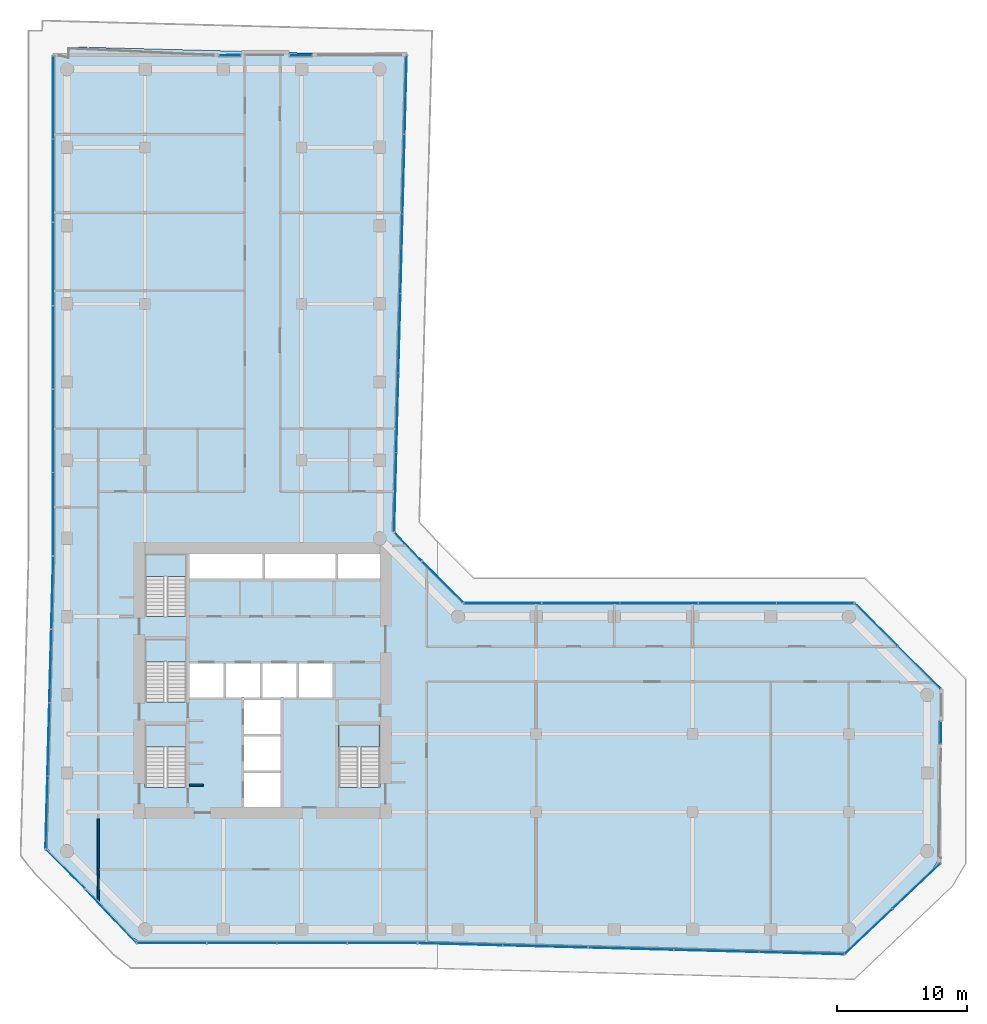
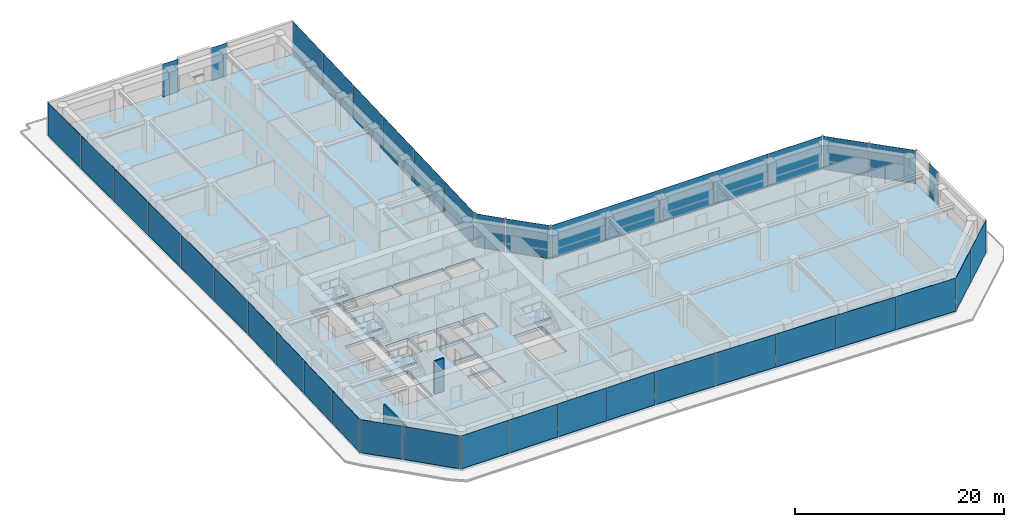
# One storey, part 22 of 28: 41 plates, 5 slabs, 3 walls, 19 elements without a shape of their own.
"""IFC4 building model written with IfcOpenShell, lengths in metres."""

from ifc_helpers import new_model, si_unit, direction, frame, frame_2d, origin, origin_2d, place, context, subcontext, project, spatial, polyline, rectangle, outline, extrude, material, layer, layer_set, type_object, element, aggregate, save


model = new_model("IFC4")

# Units and contexts
model_context = context("Model", 3, precision=1e-05, world=origin(), true_north=direction((0.0, 1.0)))
body_context = subcontext(model_context, "Body", "Model", "MODEL_VIEW")
ifc_project = project(units=[si_unit("LENGTHUNIT", "METRE"), si_unit("AREAUNIT", "SQUARE_METRE"), si_unit("VOLUMEUNIT", "CUBIC_METRE"), si_unit("PLANEANGLEUNIT", "RADIAN"), si_unit("MASSUNIT", "GRAM", prefix="KILO")], contexts=[model_context])

# Site, building, storey
site_placement = place(None, origin())
site = spatial("IfcSite", under=ifc_project, at=site_placement, CompositionType="ELEMENT")
building_placement = place(site_placement, origin())
building = spatial("IfcBuilding", under=site, at=building_placement, Name="Welwitschia Terrace Campus", CompositionType="ELEMENT")
storey_placement = place(building_placement, frame((0.0, 0.0, 45.800048828125)))
storey = spatial("IfcBuildingStorey", under=building, at=storey_placement, Name="L10", CompositionType="ELEMENT", Elevation=45.800048828125)

# Curtain wall, plate
ifc_material_1 = material(Name="Bronze anodised aluminium", Category="aluminium")
ifc_layer_1 = layer(ifc_material_1, 0.1201171875)
ifc_layer_set_1 = layer_set([ifc_layer_1], Name="Bronze anodised aluminium")
curtain_wall_type = type_object("IfcCurtainWallType", Name="Curtain wall CW2 tower 6000", PredefinedType="NOTDEFINED", material=ifc_layer_set_1)
curtain_wall_1_placement = place(storey_placement, origin())
curtain_wall_1 = element("IfcCurtainWall", 1, at=curtain_wall_1_placement, inside=storey, type_object=curtain_wall_type, Name="CW L10.0.0", PredefinedType="NOTDEFINED")
ifc_material_2 = material(Name="Tinted bronze-grey glass", Category="glass")
ifc_layer_2 = layer(ifc_material_2, 0.028076171875)
ifc_layer_set_2 = layer_set([ifc_layer_2], Name="Tinted bronze-grey glass")
plate_type = type_object("IfcPlateType", Name="Glass panel 28 tinted", PredefinedType="CURTAIN_PANEL", material=ifc_layer_set_2)
plate_1_placement = place(storey_placement, frame((3.379638671875, -2.98193359375, 0.0), z_axis=(0.0, 0.0, 1.0), x_axis=(0.688354575694, -0.725374371012, 0.0)))
plate_1 = element("IfcPlate", 2, at=plate_1_placement, type_object=plate_type, Name="Panel L10.0.0.0", PredefinedType="CURTAIN_PANEL", context=body_context, shape_type="SweptSolid", body=[
    extrude(rectangle(XDim=5.6044921875, YDim=0.028076171875, at=origin_2d()), origin(), (0.0, 0.0, 1.0), 3.85009765625),
])
aggregate(curtain_wall_1, [plate_1])

# Curtain wall, plates
curtain_wall_2_placement = place(storey_placement, origin())
curtain_wall_2 = element("IfcCurtainWall", 3, at=curtain_wall_2_placement, inside=storey, type_object=curtain_wall_type, Name="CW L10.1.0", PredefinedType="NOTDEFINED")
plate_2_placement = place(storey_placement, frame((8.056640625, -5.05810546875, 0.0), z_axis=(0.0, 0.0, 1.0), x_axis=(1.0, 0.0, 0.0)))
plate_2 = element("IfcPlate", 4, at=plate_2_placement, type_object=plate_type, Name="Panel L10.1.0.0", PredefinedType="CURTAIN_PANEL", context=body_context, shape_type="SweptSolid", body=[
    extrude(rectangle(XDim=5.293701171875, YDim=0.028076171875, at=origin_2d()), origin(), (0.0, 0.0, 1.0), 3.85009765625),
])
plate_3_placement = place(storey_placement, frame((13.42529296875, -5.05810546875, 0.0), z_axis=(0.0, 0.0, 1.0), x_axis=(1.0, 0.0, 0.0)))
plate_3 = element("IfcPlate", 5, at=plate_3_placement, type_object=plate_type, Name="Panel L10.1.0.1", PredefinedType="CURTAIN_PANEL", context=body_context, shape_type="SweptSolid", body=[
    extrude(rectangle(XDim=5.32373046875, YDim=0.028076171875, at=origin_2d()), origin(), (0.0, 0.0, 1.0), 3.85009765625),
])
plate_4_placement = place(storey_placement, frame((18.808837890625, -5.05810546875, 0.0), z_axis=(0.0, 0.0, 1.0), x_axis=(1.0, 0.0, 0.0)))
plate_4 = element("IfcPlate", 6, at=plate_4_placement, type_object=plate_type, Name="Panel L10.1.0.2", PredefinedType="CURTAIN_PANEL", context=body_context, shape_type="SweptSolid", body=[
    extrude(rectangle(XDim=5.32373046875, YDim=0.028076171875, at=origin_2d()), origin(), (0.0, 0.0, 1.0), 3.85009765625),
])
plate_5_placement = place(storey_placement, frame((24.177490234375, -5.05810546875, 0.0), z_axis=(0.0, 0.0, 1.0), x_axis=(1.0, 0.0, 0.0)))
plate_5 = element("IfcPlate", 7, at=plate_5_placement, type_object=plate_type, Name="Panel L10.1.0.3", PredefinedType="CURTAIN_PANEL", context=body_context, shape_type="SweptSolid", body=[
    extrude(rectangle(XDim=5.293701171875, YDim=0.028076171875, at=origin_2d()), origin(), (0.0, 0.0, 1.0), 3.85009765625),
])
aggregate(curtain_wall_2, [plate_2, plate_3, plate_4, plate_5])

curtain_wall_3_placement = place(storey_placement, origin())
curtain_wall_3 = element("IfcCurtainWall", 8, at=curtain_wall_3_placement, inside=storey, type_object=curtain_wall_type, Name="CW L10.2.0", PredefinedType="NOTDEFINED")
plate_6_placement = place(storey_placement, frame((30.1767578125, -5.144287109375, 0.0), z_axis=(0.0, 0.0, 1.0), x_axis=(0.999657324976, -0.026176948308, 0.0)))
plate_6 = element("IfcPlate", 9, at=plate_6_placement, type_object=plate_type, Name="Panel L10.2.0.0", PredefinedType="CURTAIN_PANEL", context=body_context, shape_type="SweptSolid", body=[
    extrude(rectangle(XDim=6.467041015625, YDim=0.028076171875, at=origin_2d()), origin(), (0.0, 0.0, 1.0), 3.85009765625),
])
plate_7_placement = place(storey_placement, frame((36.716796875, -5.3154296875, 0.0), z_axis=(0.0, 0.0, 1.0), x_axis=(0.999657324976, -0.026176948308, 0.0)))
plate_7 = element("IfcPlate", 10, at=plate_7_placement, type_object=plate_type, Name="Panel L10.2.0.1", PredefinedType="CURTAIN_PANEL", context=body_context, shape_type="SweptSolid", body=[
    extrude(rectangle(XDim=6.4970703125, YDim=0.028076171875, at=origin_2d()), origin(), (0.0, 0.0, 1.0), 3.85009765625),
])
plate_8_placement = place(storey_placement, frame((43.271484375, -5.487060546875, 0.0), z_axis=(0.0, 0.0, 1.0), x_axis=(0.999657324976, -0.026176948308, 0.0)))
plate_8 = element("IfcPlate", 11, at=plate_8_placement, type_object=plate_type, Name="Panel L10.2.0.2", PredefinedType="CURTAIN_PANEL", context=body_context, shape_type="SweptSolid", body=[
    extrude(rectangle(XDim=6.4970703125, YDim=0.028076171875, at=origin_2d()), origin(), (0.0, 0.0, 1.0), 3.85009765625),
])
plate_9_placement = place(storey_placement, frame((49.826416015625, -5.65869140625, 0.0), z_axis=(0.0, 0.0, 1.0), x_axis=(0.999657324976, -0.026176948308, 0.0)))
plate_9 = element("IfcPlate", 12, at=plate_9_placement, type_object=plate_type, Name="Panel L10.2.0.3", PredefinedType="CURTAIN_PANEL", context=body_context, shape_type="SweptSolid", body=[
    extrude(rectangle(XDim=6.4970703125, YDim=0.028076171875, at=origin_2d()), origin(), (0.0, 0.0, 1.0), 3.85009765625),
])
plate_10_placement = place(storey_placement, frame((56.3662109375, -5.830078125, 0.0), z_axis=(0.0, 0.0, 1.0), x_axis=(0.999657324976, -0.026176948308, 0.0)))
plate_10 = element("IfcPlate", 13, at=plate_10_placement, type_object=plate_type, Name="Panel L10.2.0.4", PredefinedType="CURTAIN_PANEL", context=body_context, shape_type="SweptSolid", body=[
    extrude(rectangle(XDim=6.467041015625, YDim=0.028076171875, at=origin_2d()), origin(), (0.0, 0.0, 1.0), 3.85009765625),
])
aggregate(curtain_wall_3, [plate_6, plate_7, plate_8, plate_9, plate_10])

curtain_wall_4_placement = place(storey_placement, origin())
curtain_wall_4 = element("IfcCurtainWall", 14, at=curtain_wall_4_placement, inside=storey, type_object=curtain_wall_type, Name="CW L10.3.0", PredefinedType="NOTDEFINED")
plate_11_placement = place(storey_placement, frame((61.51953125, -4.150390625, 0.0), z_axis=(0.0, 0.0, 1.0), x_axis=(0.725374371012, 0.688354575694, 0.0)))
plate_11 = element("IfcPlate", 15, at=plate_11_placement, type_object=plate_type, Name="Panel L10.3.0.0", PredefinedType="CURTAIN_PANEL", context=body_context, shape_type="SweptSolid", body=[
    extrude(rectangle(XDim=5.01025390625, YDim=0.028076171875, at=origin_2d()), origin(), (0.0, 0.0, 1.0), 3.85009765625),
])
plate_12_placement = place(storey_placement, frame((65.197265625, -0.660400390625, 0.0), z_axis=(0.0, 0.0, 1.0), x_axis=(0.725374371012, 0.688354575694, 0.0)))
plate_12 = element("IfcPlate", 16, at=plate_12_placement, type_object=plate_type, Name="Panel L10.3.0.1", PredefinedType="CURTAIN_PANEL", context=body_context, shape_type="SweptSolid", body=[
    extrude(rectangle(XDim=5.01025390625, YDim=0.028076171875, at=origin_2d()), origin(), (0.0, 0.0, 1.0), 3.85009765625),
])
aggregate(curtain_wall_4, [plate_11, plate_12])

# Curtain wall, plate
curtain_wall_5_placement = place(storey_placement, origin())
curtain_wall_5 = element("IfcCurtainWall", 17, at=curtain_wall_5_placement, inside=storey, type_object=curtain_wall_type, Name="CW L10.4.S0", PredefinedType="NOTDEFINED")
plate_13_placement = place(storey_placement, frame((67.05810546875, 11.10498046875, 0.0), z_axis=(0.0, 0.0, 1.0), x_axis=(0.0, 1.0, 0.0)))
plate_13 = element("IfcPlate", 18, at=plate_13_placement, type_object=plate_type, Name="Panel L10.4.S0.0", PredefinedType="CURTAIN_PANEL", context=body_context, shape_type="SweptSolid", body=[
    extrude(rectangle(XDim=1.679931640625, YDim=0.028076171875, at=origin_2d()), origin(), (0.0, 0.0, 1.0), 3.85009765625),
])
aggregate(curtain_wall_5, [plate_13])

# Curtain wall, plates
curtain_wall_6_placement = place(storey_placement, origin())
curtain_wall_6 = element("IfcCurtainWall", 19, at=curtain_wall_6_placement, inside=storey, type_object=curtain_wall_type, Name="CW L10.5.0", PredefinedType="NOTDEFINED")
plate_14_placement = place(storey_placement, frame((65.392333984375, 16.103759765625, 0.0), z_axis=(0.0, 0.0, 1.0), x_axis=(-0.707106781187, 0.707106781187, 0.0)))
plate_14 = element("IfcPlate", 20, at=plate_14_placement, type_object=plate_type, Name="Panel L10.5.0.0", PredefinedType="CURTAIN_PANEL", context=body_context, shape_type="SweptSolid", body=[
    extrude(rectangle(XDim=4.5908203125, YDim=0.028076171875, at=origin_2d()), origin(), (0.0, 0.0, 1.0), 3.85009765625),
])
plate_15_placement = place(storey_placement, frame((62.103759765625, 19.392333984375, 0.0), z_axis=(0.0, 0.0, 1.0), x_axis=(-0.707106781187, 0.707106781187, 0.0)))
plate_15 = element("IfcPlate", 21, at=plate_15_placement, type_object=plate_type, Name="Panel L10.5.0.1", PredefinedType="CURTAIN_PANEL", context=body_context, shape_type="SweptSolid", body=[
    extrude(rectangle(XDim=4.5908203125, YDim=0.028076171875, at=origin_2d()), origin(), (0.0, 0.0, 1.0), 3.85009765625),
])
aggregate(curtain_wall_6, [plate_14, plate_15])

curtain_wall_7_placement = place(storey_placement, origin())
curtain_wall_7 = element("IfcCurtainWall", 22, at=curtain_wall_7_placement, inside=storey, type_object=curtain_wall_type, Name="CW L10.6.0", PredefinedType="NOTDEFINED")
plate_16_placement = place(storey_placement, frame((57.42333984375, 21.05810546875, 0.0), z_axis=(0.0, 0.0, 1.0), x_axis=(-1.0, 0.0, 0.0)))
plate_16 = element("IfcPlate", 23, at=plate_16_placement, type_object=plate_type, Name="Panel L10.6.0.0", PredefinedType="CURTAIN_PANEL", context=body_context, shape_type="SweptSolid", body=[
    extrude(rectangle(XDim=5.909912109375, YDim=0.028076171875, at=origin_2d()), origin(), (0.0, 0.0, 1.0), 3.85009765625),
])
plate_17_placement = place(storey_placement, frame((51.438232421875, 21.05810546875, 0.0), z_axis=(0.0, 0.0, 1.0), x_axis=(-1.0, 0.0, 0.0)))
plate_17 = element("IfcPlate", 24, at=plate_17_placement, type_object=plate_type, Name="Panel L10.6.0.1", PredefinedType="CURTAIN_PANEL", context=body_context, shape_type="SweptSolid", body=[
    extrude(rectangle(XDim=5.93994140625, YDim=0.028076171875, at=origin_2d()), origin(), (0.0, 0.0, 1.0), 3.85009765625),
])
plate_18_placement = place(storey_placement, frame((45.438232421875, 21.05810546875, 0.0), z_axis=(0.0, 0.0, 1.0), x_axis=(-1.0, 0.0, 0.0)))
plate_18 = element("IfcPlate", 25, at=plate_18_placement, type_object=plate_type, Name="Panel L10.6.0.2", PredefinedType="CURTAIN_PANEL", context=body_context, shape_type="SweptSolid", body=[
    extrude(rectangle(XDim=5.93994140625, YDim=0.028076171875, at=origin_2d()), origin(), (0.0, 0.0, 1.0), 3.85009765625),
])
plate_19_placement = place(storey_placement, frame((39.438232421875, 21.05810546875, 0.0), z_axis=(0.0, 0.0, 1.0), x_axis=(-1.0, 0.0, 0.0)))
plate_19 = element("IfcPlate", 26, at=plate_19_placement, type_object=plate_type, Name="Panel L10.6.0.3", PredefinedType="CURTAIN_PANEL", context=body_context, shape_type="SweptSolid", body=[
    extrude(rectangle(XDim=5.93994140625, YDim=0.028076171875, at=origin_2d()), origin(), (0.0, 0.0, 1.0), 3.85009765625),
])
plate_20_placement = place(storey_placement, frame((33.453125, 21.05810546875, 0.0), z_axis=(0.0, 0.0, 1.0), x_axis=(-1.0, 0.0, 0.0)))
plate_20 = element("IfcPlate", 27, at=plate_20_placement, type_object=plate_type, Name="Panel L10.6.0.4", PredefinedType="CURTAIN_PANEL", context=body_context, shape_type="SweptSolid", body=[
    extrude(rectangle(XDim=5.909912109375, YDim=0.028076171875, at=origin_2d()), origin(), (0.0, 0.0, 1.0), 3.85009765625),
])
aggregate(curtain_wall_7, [plate_16, plate_17, plate_18, plate_19, plate_20])

# Curtain wall, plate
curtain_wall_8_placement = place(storey_placement, origin())
curtain_wall_8 = element("IfcCurtainWall", 28, at=curtain_wall_8_placement, inside=storey, type_object=curtain_wall_type, Name="CW L10.7.0", PredefinedType="NOTDEFINED")
plate_21_placement = place(storey_placement, frame((28.8388671875, 22.657470703125, 0.0), z_axis=(0.0, 0.0, 1.0), x_axis=(-0.707106781187, 0.707106781187, 0.0)))
plate_21 = element("IfcPlate", 29, at=plate_21_placement, type_object=plate_type, Name="Panel L10.7.0.0", PredefinedType="CURTAIN_PANEL", context=body_context, shape_type="SweptSolid", body=[
    extrude(rectangle(XDim=4.40380859375, YDim=0.028076171875, at=origin_2d()), origin(), (0.0, 0.0, 1.0), 3.85009765625),
])
aggregate(curtain_wall_8, [plate_21])

curtain_wall_9_placement = place(storey_placement, origin())
curtain_wall_9 = element("IfcCurtainWall", 30, at=curtain_wall_9_placement, inside=storey, type_object=curtain_wall_type, Name="CW L10.8.0", PredefinedType="NOTDEFINED")
plate_22_placement = place(storey_placement, frame((26.17724609375, 25.3759765625, 0.0), z_axis=(0.0, 0.0, 1.0), x_axis=(-0.688354575694, 0.725374371012, 0.0)))
plate_22 = element("IfcPlate", 31, at=plate_22_placement, type_object=plate_type, Name="Panel L10.8.0.0", PredefinedType="CURTAIN_PANEL", context=body_context, shape_type="SweptSolid", body=[
    extrude(rectangle(XDim=2.966064453125, YDim=0.028076171875, at=origin_2d()), origin(), (0.0, 0.0, 1.0), 3.85009765625),
])
aggregate(curtain_wall_9, [plate_22])

# Curtain wall, plates
curtain_wall_10_placement = place(storey_placement, origin())
curtain_wall_10 = element("IfcCurtainWall", 32, at=curtain_wall_10_placement, inside=storey, type_object=curtain_wall_type, Name="CW L10.9.0", PredefinedType="NOTDEFINED")
plate_23_placement = place(storey_placement, frame((25.1953125, 29.56103515625, 0.0), z_axis=(0.0, 0.0, 1.0), x_axis=(0.026176948308, 0.999657324976, 0.0)))
plate_23 = element("IfcPlate", 33, at=plate_23_placement, type_object=plate_type, Name="Panel L10.9.0.0", PredefinedType="CURTAIN_PANEL", context=body_context, shape_type="SweptSolid", body=[
    extrude(rectangle(XDim=6.01318359375, YDim=0.028076171875, at=origin_2d()), origin(), (0.0, 0.0, 1.0), 3.85009765625),
])
plate_24_placement = place(storey_placement, frame((25.354736328125, 35.647216796875, 0.0), z_axis=(0.0, 0.0, 1.0), x_axis=(0.026176948308, 0.999657324976, 0.0)))
plate_24 = element("IfcPlate", 34, at=plate_24_placement, type_object=plate_type, Name="Panel L10.9.0.1", PredefinedType="CURTAIN_PANEL", context=body_context, shape_type="SweptSolid", body=[
    extrude(rectangle(XDim=6.043212890625, YDim=0.028076171875, at=origin_2d()), origin(), (0.0, 0.0, 1.0), 3.85009765625),
])
plate_25_placement = place(storey_placement, frame((25.5146484375, 41.748291015625, 0.0), z_axis=(0.0, 0.0, 1.0), x_axis=(0.026176948308, 0.999657324976, 0.0)))
plate_25 = element("IfcPlate", 35, at=plate_25_placement, type_object=plate_type, Name="Panel L10.9.0.2", PredefinedType="CURTAIN_PANEL", context=body_context, shape_type="SweptSolid", body=[
    extrude(rectangle(XDim=6.043212890625, YDim=0.028076171875, at=origin_2d()), origin(), (0.0, 0.0, 1.0), 3.85009765625),
])
plate_26_placement = place(storey_placement, frame((25.67431640625, 47.849609375, 0.0), z_axis=(0.0, 0.0, 1.0), x_axis=(0.026176948308, 0.999657324976, 0.0)))
plate_26 = element("IfcPlate", 36, at=plate_26_placement, type_object=plate_type, Name="Panel L10.9.0.3", PredefinedType="CURTAIN_PANEL", context=body_context, shape_type="SweptSolid", body=[
    extrude(rectangle(XDim=6.043212890625, YDim=0.028076171875, at=origin_2d()), origin(), (0.0, 0.0, 1.0), 3.85009765625),
])
plate_27_placement = place(storey_placement, frame((25.833984375, 53.95068359375, 0.0), z_axis=(0.0, 0.0, 1.0), x_axis=(0.026176948308, 0.999657324976, 0.0)))
plate_27 = element("IfcPlate", 37, at=plate_27_placement, type_object=plate_type, Name="Panel L10.9.0.4", PredefinedType="CURTAIN_PANEL", context=body_context, shape_type="SweptSolid", body=[
    extrude(rectangle(XDim=6.043212890625, YDim=0.028076171875, at=origin_2d()), origin(), (0.0, 0.0, 1.0), 3.85009765625),
])
plate_28_placement = place(storey_placement, frame((25.993408203125, 60.036865234375, 0.0), z_axis=(0.0, 0.0, 1.0), x_axis=(0.026176948308, 0.999657324976, 0.0)))
plate_28 = element("IfcPlate", 38, at=plate_28_placement, type_object=plate_type, Name="Panel L10.9.0.5", PredefinedType="CURTAIN_PANEL", context=body_context, shape_type="SweptSolid", body=[
    extrude(rectangle(XDim=6.01318359375, YDim=0.028076171875, at=origin_2d()), origin(), (0.0, 0.0, 1.0), 3.85009765625),
])
aggregate(curtain_wall_10, [plate_23, plate_24, plate_25, plate_26, plate_27, plate_28])

# Curtain wall, plate
curtain_wall_11_placement = place(storey_placement, origin())
curtain_wall_11 = element("IfcCurtainWall", 39, at=curtain_wall_11_placement, inside=storey, type_object=curtain_wall_type, Name="CW L10.10.S0", PredefinedType="NOTDEFINED")
plate_29_placement = place(storey_placement, frame((17.93408203125, 63.088623046875, 0.0), z_axis=(0.0, 0.0, 1.0), x_axis=(-0.999998544362, -0.001706245528, 0.0)))
plate_29 = element("IfcPlate", 40, at=plate_29_placement, type_object=plate_type, Name="Panel L10.10.S0.0", PredefinedType="CURTAIN_PANEL", context=body_context, shape_type="SweptSolid", body=[
    extrude(rectangle(XDim=1.679931640625, YDim=0.028076171875, at=origin_2d()), origin(), (0.0, 0.0, 1.0), 3.85009765625),
])
aggregate(curtain_wall_11, [plate_29])

curtain_wall_12_placement = place(storey_placement, origin())
curtain_wall_12 = element("IfcCurtainWall", 41, at=curtain_wall_12_placement, inside=storey, type_object=curtain_wall_type, Name="CW L10.10.S1", PredefinedType="NOTDEFINED")
plate_30_placement = place(storey_placement, frame((12.5078125, 63.079345703125, 0.0), z_axis=(0.0, 0.0, 1.0), x_axis=(-0.999998544362, -0.001706245528, 0.0)))
plate_30 = element("IfcPlate", 42, at=plate_30_placement, type_object=plate_type, Name="Panel L10.10.S1.0", PredefinedType="CURTAIN_PANEL", context=body_context, shape_type="SweptSolid", body=[
    extrude(rectangle(XDim=1.679931640625, YDim=0.028076171875, at=origin_2d()), origin(), (0.0, 0.0, 1.0), 3.85009765625),
])
aggregate(curtain_wall_12, [plate_30])

# Curtain wall, plates
curtain_wall_13_placement = place(storey_placement, origin())
curtain_wall_13 = element("IfcCurtainWall", 43, at=curtain_wall_13_placement, inside=storey, type_object=curtain_wall_type, Name="CW L10.11.0", PredefinedType="NOTDEFINED")
plate_31_placement = place(storey_placement, frame((-1.05810546875, 59.84130859375, 0.0), z_axis=(0.0, 0.0, 1.0), x_axis=(0.0, -1.0, 0.0)))
plate_31 = element("IfcPlate", 44, at=plate_31_placement, type_object=plate_type, Name="Panel L10.11.0.0", PredefinedType="CURTAIN_PANEL", context=body_context, shape_type="SweptSolid", body=[
    extrude(rectangle(XDim=6.31005859375, YDim=0.028076171875, at=origin_2d()), origin(), (0.0, 0.0, 1.0), 3.85009765625),
])
plate_32_placement = place(storey_placement, frame((-1.05810546875, 53.456298828125, 0.0), z_axis=(0.0, 0.0, 1.0), x_axis=(0.0, -1.0, 0.0)))
plate_32 = element("IfcPlate", 45, at=plate_32_placement, type_object=plate_type, Name="Panel L10.11.0.1", PredefinedType="CURTAIN_PANEL", context=body_context, shape_type="SweptSolid", body=[
    extrude(rectangle(XDim=6.340087890625, YDim=0.028076171875, at=origin_2d()), origin(), (0.0, 0.0, 1.0), 3.85009765625),
])
plate_33_placement = place(storey_placement, frame((-1.05810546875, 47.05615234375, 0.0), z_axis=(0.0, 0.0, 1.0), x_axis=(0.0, -1.0, 0.0)))
plate_33 = element("IfcPlate", 46, at=plate_33_placement, type_object=plate_type, Name="Panel L10.11.0.2", PredefinedType="CURTAIN_PANEL", context=body_context, shape_type="SweptSolid", body=[
    extrude(rectangle(XDim=6.340087890625, YDim=0.028076171875, at=origin_2d()), origin(), (0.0, 0.0, 1.0), 3.85009765625),
])
plate_34_placement = place(storey_placement, frame((-1.05810546875, 40.656005859375, 0.0), z_axis=(0.0, 0.0, 1.0), x_axis=(0.0, -1.0, 0.0)))
plate_34 = element("IfcPlate", 47, at=plate_34_placement, type_object=plate_type, Name="Panel L10.11.0.3", PredefinedType="CURTAIN_PANEL", context=body_context, shape_type="SweptSolid", body=[
    extrude(rectangle(XDim=6.340087890625, YDim=0.028076171875, at=origin_2d()), origin(), (0.0, 0.0, 1.0), 3.85009765625),
])
plate_35_placement = place(storey_placement, frame((-1.05810546875, 34.256103515625, 0.0), z_axis=(0.0, 0.0, 1.0), x_axis=(0.0, -1.0, 0.0)))
plate_35 = element("IfcPlate", 48, at=plate_35_placement, type_object=plate_type, Name="Panel L10.11.0.4", PredefinedType="CURTAIN_PANEL", context=body_context, shape_type="SweptSolid", body=[
    extrude(rectangle(XDim=6.340087890625, YDim=0.028076171875, at=origin_2d()), origin(), (0.0, 0.0, 1.0), 3.85009765625),
])
plate_36_placement = place(storey_placement, frame((-1.05810546875, 27.870849609375, 0.0), z_axis=(0.0, 0.0, 1.0), x_axis=(0.0, -1.0, 0.0)))
plate_36 = element("IfcPlate", 49, at=plate_36_placement, type_object=plate_type, Name="Panel L10.11.0.5", PredefinedType="CURTAIN_PANEL", context=body_context, shape_type="SweptSolid", body=[
    extrude(rectangle(XDim=6.31005859375, YDim=0.028076171875, at=origin_2d()), origin(), (0.0, 0.0, 1.0), 3.85009765625),
])
aggregate(curtain_wall_13, [plate_31, plate_32, plate_33, plate_34, plate_35, plate_36])

curtain_wall_14_placement = place(storey_placement, origin())
curtain_wall_14 = element("IfcCurtainWall", 50, at=curtain_wall_14_placement, inside=storey, type_object=curtain_wall_type, Name="CW L10.12.0", PredefinedType="NOTDEFINED")
plate_37_placement = place(storey_placement, frame((-1.132080078125, 21.827880859375, 0.0), z_axis=(0.0, 0.0, 1.0), x_axis=(-0.026176948308, -0.999657324976, 0.0)))
plate_37 = element("IfcPlate", 51, at=plate_37_placement, type_object=plate_type, Name="Panel L10.12.0.0", PredefinedType="CURTAIN_PANEL", context=body_context, shape_type="SweptSolid", body=[
    extrude(rectangle(XDim=5.5380859375, YDim=0.028076171875, at=origin_2d()), origin(), (0.0, 0.0, 1.0), 3.85009765625),
])
plate_38_placement = place(storey_placement, frame((-1.279052734375, 16.216552734375, 0.0), z_axis=(0.0, 0.0, 1.0), x_axis=(-0.026176948308, -0.999657324976, 0.0)))
plate_38 = element("IfcPlate", 52, at=plate_38_placement, type_object=plate_type, Name="Panel L10.12.0.1", PredefinedType="CURTAIN_PANEL", context=body_context, shape_type="SweptSolid", body=[
    extrude(rectangle(XDim=5.568115234375, YDim=0.028076171875, at=origin_2d()), origin(), (0.0, 0.0, 1.0), 3.85009765625),
])
plate_39_placement = place(storey_placement, frame((-1.42626953125, 10.59033203125, 0.0), z_axis=(0.0, 0.0, 1.0), x_axis=(-0.026176948308, -0.999657324976, 0.0)))
plate_39 = element("IfcPlate", 53, at=plate_39_placement, type_object=plate_type, Name="Panel L10.12.0.2", PredefinedType="CURTAIN_PANEL", context=body_context, shape_type="SweptSolid", body=[
    extrude(rectangle(XDim=5.568115234375, YDim=0.028076171875, at=origin_2d()), origin(), (0.0, 0.0, 1.0), 3.85009765625),
])
plate_40_placement = place(storey_placement, frame((-1.5732421875, 4.979248046875, 0.0), z_axis=(0.0, 0.0, 1.0), x_axis=(-0.026176948308, -0.999657324976, 0.0)))
plate_40 = element("IfcPlate", 54, at=plate_40_placement, type_object=plate_type, Name="Panel L10.12.0.3", PredefinedType="CURTAIN_PANEL", context=body_context, shape_type="SweptSolid", body=[
    extrude(rectangle(XDim=5.5380859375, YDim=0.028076171875, at=origin_2d()), origin(), (0.0, 0.0, 1.0), 3.85009765625),
])
aggregate(curtain_wall_14, [plate_37, plate_38, plate_39, plate_40])

# Curtain wall, plate
curtain_wall_15_placement = place(storey_placement, origin())
curtain_wall_15 = element("IfcCurtainWall", 55, at=curtain_wall_15_placement, inside=storey, type_object=curtain_wall_type, Name="CW L10.13.0", PredefinedType="NOTDEFINED")
plate_41_placement = place(storey_placement, frame((-0.118896484375, 0.622802734375, 0.0), z_axis=(0.0, 0.0, 1.0), x_axis=(0.707106781187, -0.707106781187, 0.0)))
plate_41 = element("IfcPlate", 56, at=plate_41_placement, type_object=plate_type, Name="Panel L10.13.0.0", PredefinedType="CURTAIN_PANEL", context=body_context, shape_type="SweptSolid", body=[
    extrude(rectangle(XDim=4.202880859375, YDim=0.028076171875, at=origin_2d()), origin(), (0.0, 0.0, 1.0), 3.85009765625),
])
aggregate(curtain_wall_15, [plate_41])

# Stair, slab
ifc_material_3 = material(Name="Concrete C40/50", Category="concrete")
stair_type = type_object("IfcStairType", Name="Stair 24R 175 W1500", PredefinedType="HALF_TURN_STAIR", material=ifc_material_3)
stair_1_placement = place(storey_placement, origin())
stair_1 = element("IfcStair", 57, at=stair_1_placement, inside=storey, type_object=stair_type, Name="L10 Exit stair S1", PredefinedType="HALF_TURN_STAIR")
ifc_material_4 = material(Name="Concrete C40/50", Category="concrete")
ifc_layer_3 = layer(ifc_material_4, 0.199951171875)
ifc_layer_set_3 = layer_set([ifc_layer_3], Name="Concrete C40/50")
slab_type_1 = type_object("IfcSlabType", Name="Stair landing RC", PredefinedType="LANDING", material=ifc_layer_set_3)
slab_1_placement = place(storey_placement, frame((0.0, 0.0, 1.89990234375)))
slab_1 = element("IfcSlab", 58, at=slab_1_placement, type_object=slab_type_1, Name="S1 landing 1", PredefinedType="LANDING", context=body_context, shape_type="SweptSolid", body=[
    extrude(outline(polyline([(9.14990234375, 9.97998046875), (9.14990234375, 11.699951171875), (6.0, 11.699951171875), (6.0, 9.97998046875), (9.14990234375, 9.97998046875)])), origin(), (0.0, 0.0, 1.0), 0.199951171875),
])
aggregate(stair_1, [slab_1])

stair_2_placement = place(storey_placement, origin())
stair_2 = element("IfcStair", 59, at=stair_2_placement, inside=storey, type_object=stair_type, Name="L10 Exit stair S3", PredefinedType="HALF_TURN_STAIR")
slab_2_placement = place(storey_placement, frame((0.0, 0.0, 1.89990234375)))
slab_2 = element("IfcSlab", 60, at=slab_2_placement, type_object=slab_type_1, Name="S3 landing 1", PredefinedType="LANDING", context=body_context, shape_type="SweptSolid", body=[
    extrude(outline(polyline([(9.14990234375, 16.530029296875), (9.14990234375, 18.25), (6.0, 18.25), (6.0, 16.530029296875), (9.14990234375, 16.530029296875)])), origin(), (0.0, 0.0, 1.0), 0.199951171875),
])
aggregate(stair_2, [slab_2])

stair_3_placement = place(storey_placement, origin())
stair_3 = element("IfcStair", 61, at=stair_3_placement, inside=storey, type_object=stair_type, Name="L10 Exit stair S4", PredefinedType="HALF_TURN_STAIR")
slab_3_placement = place(storey_placement, frame((0.0, 0.0, 1.89990234375)))
slab_3 = element("IfcSlab", 62, at=slab_3_placement, type_object=slab_type_1, Name="S4 landing 1", PredefinedType="LANDING", context=body_context, shape_type="SweptSolid", body=[
    extrude(outline(polyline([(9.14990234375, 23.080078125), (9.14990234375, 24.800048828125), (6.0, 24.800048828125), (6.0, 23.080078125), (9.14990234375, 23.080078125)])), origin(), (0.0, 0.0, 1.0), 0.199951171875),
])
aggregate(stair_3, [slab_3])

stair_4_placement = place(storey_placement, origin())
stair_4 = element("IfcStair", 63, at=stair_4_placement, inside=storey, type_object=stair_type, Name="L10 Exit stair S2", PredefinedType="HALF_TURN_STAIR")
slab_4_placement = place(storey_placement, frame((0.0, 0.0, 1.89990234375)))
slab_4 = element("IfcSlab", 64, at=slab_4_placement, type_object=slab_type_1, Name="S2 landing 1", PredefinedType="LANDING", context=body_context, shape_type="SweptSolid", body=[
    extrude(outline(polyline([(24.0, 9.97998046875), (24.0, 11.699951171875), (20.85009765625, 11.699951171875), (20.85009765625, 9.97998046875), (24.0, 9.97998046875)])), origin(), (0.0, 0.0, 1.0), 0.199951171875),
])
aggregate(stair_4, [slab_4])

# Slab
ifc_material_5 = material(Name="Concrete C40/50", Category="concrete")
ifc_layer_4 = layer(ifc_material_5, 0.35009765625)
ifc_layer_set_4 = layer_set([ifc_layer_4], Name="Concrete C40/50")
slab_type_2 = type_object("IfcSlabType", Name="Suspended floor slab 350", PredefinedType="FLOOR", material=ifc_layer_set_4)
slab_5_placement = place(storey_placement, frame((0.0, 0.0, -0.35009765625)))
element("IfcSlab", 65, at=slab_5_placement, inside=storey, type_object=slab_type_2, Name="Floor slab L10", PredefinedType="FLOOR", context=body_context, shape_type="SweptSolid", body=[
    extrude(outline(polyline([(-1.58447265625, 2.33349609375), (-1.0, 24.6552734375), (-1.0, 63.0), (0.004150390625, 63.0), (0.023193359375, 63.726806640625), (26.01416015625, 63.046142578125), (25.056396484375, 26.472900390625), (27.197998046875, 24.21630859375), (30.414306640625, 21.0), (60.414306640625, 21.0), (67.0, 14.414306640625), (67.0, 1.585693359375), (66.39208984375, 0.553466796875), (59.63623046875, -5.857666015625), (26.88525390625, -5.0), (5.585693359375, -5.0), (4.82666015625, -4.42236328125), (1.450927734375, -0.865234375), (-1.0, 1.585693359375), (-1.58447265625, 2.33349609375)]), holes=[polyline([(13.60009765625, 8.0), (13.60009765625, 5.39990234375), (16.39990234375, 5.39990234375), (16.39990234375, 8.0), (13.60009765625, 8.0)]), polyline([(9.14990234375, 11.699951171875), (6.0, 11.699951171875), (6.0, 6.902099609375), (9.14990234375, 6.902099609375), (9.14990234375, 11.699951171875)]), polyline([(12.0, 16.39990234375), (9.39990234375, 16.39990234375), (9.39990234375, 13.800048828125), (12.0, 13.800048828125), (12.0, 16.39990234375)]), polyline([(14.800048828125, 16.39990234375), (12.199951171875, 16.39990234375), (12.199951171875, 13.800048828125), (14.800048828125, 13.800048828125), (14.800048828125, 16.39990234375)]), polyline([(9.14990234375, 18.25), (6.0, 18.25), (6.0, 13.451904296875), (9.14990234375, 13.451904296875), (9.14990234375, 18.25)]), polyline([(9.14990234375, 24.800048828125), (6.0, 24.800048828125), (6.0, 20.001953125), (9.14990234375, 20.001953125), (9.14990234375, 24.800048828125)]), polyline([(15.0, 24.800048828125), (9.39990234375, 24.800048828125), (9.39990234375, 22.89990234375), (15.0, 22.89990234375), (15.0, 24.800048828125)]), polyline([(20.85009765625, 11.699951171875), (20.85009765625, 6.902099609375), (24.0, 6.902099609375), (24.0, 11.699951171875), (20.85009765625, 11.699951171875)]), polyline([(16.39990234375, 10.800048828125), (13.60009765625, 10.800048828125), (13.60009765625, 8.199951171875), (16.39990234375, 8.199951171875), (16.39990234375, 10.800048828125)]), polyline([(16.39990234375, 13.60009765625), (13.60009765625, 13.60009765625), (13.60009765625, 11.0), (16.39990234375, 11.0), (16.39990234375, 13.60009765625)]), polyline([(17.60009765625, 16.39990234375), (15.0, 16.39990234375), (15.0, 13.800048828125), (17.60009765625, 13.800048828125), (17.60009765625, 16.39990234375)]), polyline([(20.39990234375, 16.39990234375), (17.800048828125, 16.39990234375), (17.800048828125, 13.800048828125), (20.39990234375, 13.800048828125), (20.39990234375, 16.39990234375)]), polyline([(20.60009765625, 24.800048828125), (15.199951171875, 24.800048828125), (15.199951171875, 22.89990234375), (20.60009765625, 22.89990234375), (20.60009765625, 24.800048828125)]), polyline([(24.0, 24.800048828125), (20.800048828125, 24.800048828125), (20.800048828125, 22.89990234375), (24.0, 22.89990234375), (24.0, 24.800048828125)])]), origin(), (0.0, 0.0, 1.0), 0.35009765625),
])

# Walls
ifc_material_6 = material(Name="Concrete C50/60", Category="concrete")
ifc_layer_5 = layer(ifc_material_6, 0.14990234375)
ifc_layer_set_5 = layer_set([ifc_layer_5], Name="Concrete C50/60")
wall_type_1 = type_object("IfcWallType", Name="Core wall 150 Concrete C50/60", PredefinedType="SHEAR", material=ifc_layer_set_5)
wall_1_placement = place(storey_placement, frame((9.39990234375, 7.074951171875, 0.0), z_axis=(0.0, 0.0, 1.0), x_axis=(1.0, 0.0, 0.0)))
element("IfcWall", 66, at=wall_1_placement, inside=storey, type_object=wall_type_1, Name="Core wall", PredefinedType="SHEAR", context=body_context, shape_type="SweptSolid", body=[
    extrude(rectangle(XDim=1.050048828125, YDim=0.14990234375, at=frame_2d((0.52490234375, 0.0))), origin(), (0.0, 0.0, 1.0), 3.849853515625),
])
ifc_material_7 = material(Name="Gypsum board on steel studs", Category="steel")
ifc_layer_6 = layer(ifc_material_7, 0.14990234375)
ifc_layer_set_6 = layer_set([ifc_layer_6], Name="Gypsum board on steel studs")
wall_type_2 = type_object("IfcWallType", Name="Corridor partition 150 EI 30", PredefinedType="PARTITIONING", material=ifc_layer_set_6)
wall_2_placement = place(storey_placement, frame((2.39990234375, -1.8623046875, 0.0), z_axis=(0.0, 0.0, 1.0), x_axis=(0.0, 1.0, 0.0)))
element("IfcWall", 67, at=wall_2_placement, inside=storey, type_object=wall_type_2, Name="Partition", PredefinedType="PARTITIONING", context=body_context, shape_type="SweptSolid", body=[
    extrude(rectangle(XDim=2.46240234375, YDim=0.14990234375, at=frame_2d((1.231201171875, 0.0))), origin(), (0.0, 0.0, 1.0), 2.829833984375),
])
wall_3_placement = place(storey_placement, frame((2.39990234375, 0.60009765625, 0.0), z_axis=(0.0, 0.0, 1.0), x_axis=(0.0, 1.0, 0.0)))
element("IfcWall", 68, at=wall_3_placement, inside=storey, type_object=wall_type_2, Name="Partition", PredefinedType="PARTITIONING", context=body_context, shape_type="SweptSolid", body=[
    extrude(rectangle(XDim=3.89990234375, YDim=0.14990234375, at=frame_2d((1.949951171875, 0.0))), origin(), (0.0, 0.0, 1.0), 2.829833984375),
])

save(model, "model.ifc")
